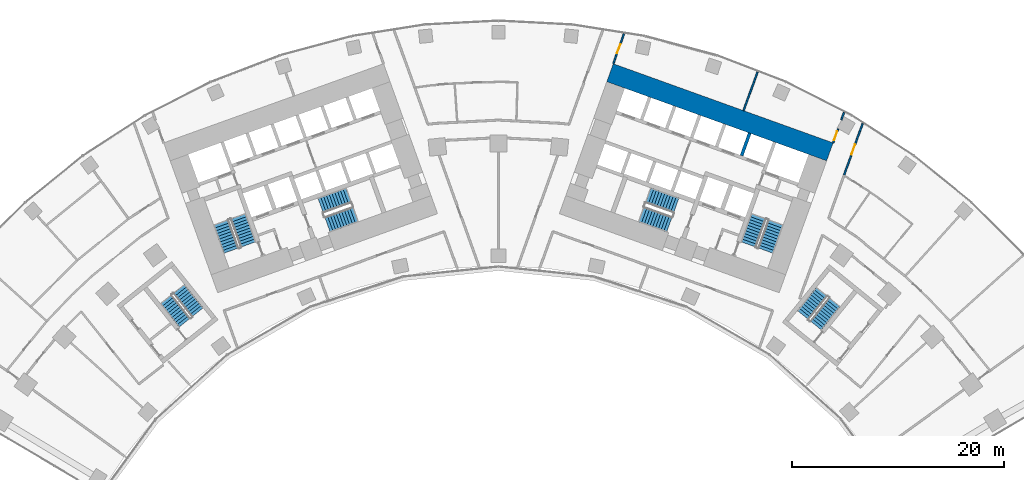
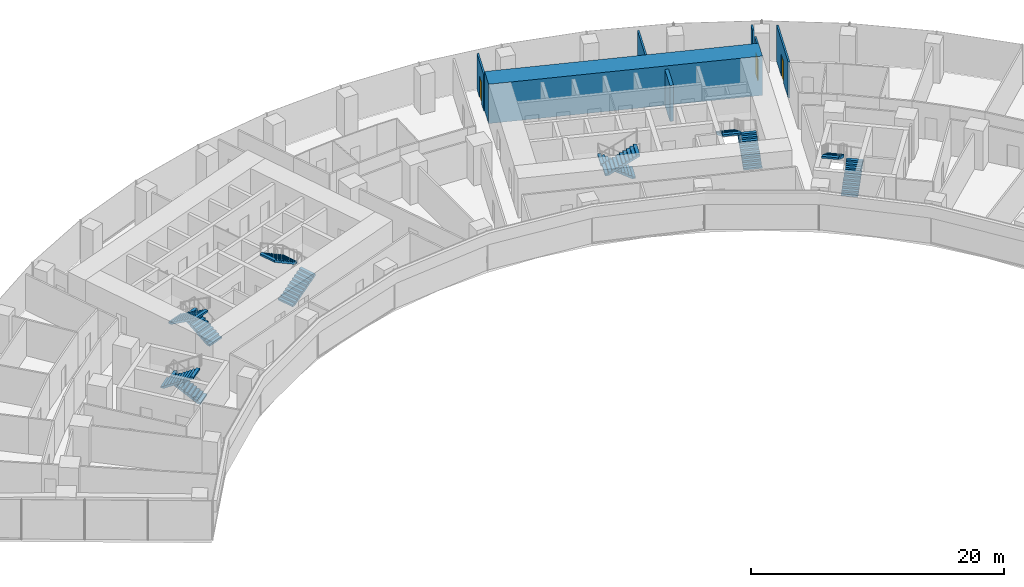
# One storey, part 19 of 21: 12 stair flights, 7 walls, 3 doors, 3 openings, 6 elements without a shape of their own.
"""IFC4 building model written with IfcOpenShell, lengths in metres."""

from ifc_helpers import new_model, si_unit, direction, frame, frame_2d, origin, place, context, subcontext, project, spatial, polyline, rectangle, outline, extrude, material, layer, layer_set, type_object, element, fill, aggregate, save


model = new_model("IFC4")

# Units and contexts
model_context = context("Model", 3, precision=1e-05, world=origin(), true_north=direction((0.0, 1.0)))
body_context = subcontext(model_context, "Body", "Model", "MODEL_VIEW")
ifc_project = project(units=[si_unit("LENGTHUNIT", "METRE"), si_unit("AREAUNIT", "SQUARE_METRE"), si_unit("VOLUMEUNIT", "CUBIC_METRE"), si_unit("PLANEANGLEUNIT", "RADIAN"), si_unit("MASSUNIT", "GRAM", prefix="KILO")], contexts=[model_context])

# Site, building, storey
site_placement = place(None, origin())
site = spatial("IfcSite", under=ifc_project, at=site_placement, CompositionType="ELEMENT")
building_placement = place(site_placement, origin())
building = spatial("IfcBuilding", under=site, at=building_placement, Name="Stone Belt Terrace Tower", CompositionType="ELEMENT")
storey_placement = place(building_placement, frame((0.0, 0.0, 37.60009765625)))
storey = spatial("IfcBuildingStorey", under=building, at=storey_placement, Name="L08", CompositionType="ELEMENT", Elevation=37.60009765625)

# Walls
ifc_material_1 = material(Name="Concrete B80", Category="concrete")
ifc_layer_1 = layer(ifc_material_1, 1.800048828125)
ifc_layer_set_1 = layer_set([ifc_layer_1], Name="Core wall 1800 B80")
wall_type_1 = type_object("IfcWallType", Name="Core wall 1800 B80", PredefinedType="SHEAR", material=ifc_layer_set_1)
wall_1_placement = place(storey_placement, frame((10.509033203125, 61.685546875, 0.0), z_axis=(0.0, 0.0, 1.0), x_axis=(0.940922914687, -0.338620833112, 0.0)))
element("IfcWall", 1, at=wall_1_placement, inside=storey, type_object=wall_type_1, Name="Core B wall convex L08", PredefinedType="SHEAR", context=body_context, shape_type="SweptSolid", body=[
    extrude(rectangle(XDim=22.000244140625, YDim=1.800048828125, at=frame_2d((11.0, 0.0))), origin(), (0.0, 0.0, 1.0), 3.7998046875),
])
ifc_layer_2 = layer(ifc_material_1, 0.300048828125)
ifc_layer_set_2 = layer_set([ifc_layer_2], Name="Lift shaft wall 300")
wall_type_2 = type_object("IfcWallType", Name="Lift shaft wall 300", PredefinedType="SHEAR", material=ifc_layer_set_2)
wall_2_placement = place(storey_placement, frame((22.897705078125, 53.87939453125, 0.0), z_axis=(0.0, 0.0, 1.0), x_axis=(0.338535034312, 0.940953787677, 0.0)))
element("IfcWall", 2, at=wall_2_placement, inside=storey, type_object=wall_type_2, Name="Core B wall", PredefinedType="SHEAR", context=body_context, shape_type="SweptSolid", body=[
    extrude(rectangle(XDim=2.25, YDim=0.300048828125, at=frame_2d((1.125, 0.0))), origin(), (0.0, 0.0, 1.0), 3.47998046875),
])

# Wall, opening, door
ifc_material_2 = material(Name="Gypsum board partition")
ifc_layer_3 = layer(ifc_material_2, 0.14990234375)
ifc_layer_set_3 = layer_set([ifc_layer_3], Name="PARTITION 150 EI 60")
wall_type_3 = type_object("IfcWallType", Name="PARTITION 150 EI 60", PredefinedType="PARTITIONING", material=ifc_layer_set_3)
wall_3_placement = place(storey_placement, frame((11.831787109375, 65.361083984375, 0.0), z_axis=(0.0, 0.0, 1.0), x_axis=(-0.338526810165, -0.940956746508, 0.0)))
wall_3 = element("IfcWall", 3, at=wall_3_placement, inside=storey, type_object=wall_type_3, Name="L08/wall/i017", PredefinedType="PARTITIONING", context=body_context, shape_type="SweptSolid", body=[
    extrude(rectangle(XDim=3.006591796875, YDim=0.14990234375, at=frame_2d((1.50341796875, 0.0))), origin(), (0.0, 0.0, 1.0), 3.47998046875),
])
opening_1_placement = place(wall_3_placement, frame((1.05322265625, 0.0, 0.0)))
opening_1 = element("IfcOpeningElement", 4, at=opening_1_placement, cuts=wall_3, Name="Opening D-A1b-07", PredefinedType="OPENING", context=body_context, shape_type="SweptSolid", body=[
    extrude(rectangle(XDim=0.89990234375, YDim=2.10009765625, at=frame_2d((0.449951171875, 1.050048828125))), frame((0.0, 0.0849609375, 0.0), z_axis=(0.0, -1.0, 0.0), x_axis=(1.0, 0.0, 0.0)), (0.0, 0.0, 1.0), 0.169921875),
])
ifc_material_3 = material(Name="Timber door leaf", Category="wood")
door_type_1 = type_object("IfcDoorType", Name="OFFICE DOOR 900 X 2100", OperationType="NOTDEFINED", PredefinedType="DOOR", material=ifc_material_3)
door_1_placement = place(opening_1_placement, origin())
door_1 = element("IfcDoor", 5, at=door_1_placement, inside=storey, type_object=door_type_1, Name="L08/door/i07", OperationType="SINGLE_SWING_RIGHT", OverallHeight=2.10009765625, OverallWidth=0.89990234375, PredefinedType="DOOR", context=body_context, shape_type="SweptSolid", body=[
    extrude(rectangle(XDim=0.89990234375, YDim=2.10009765625, at=frame_2d((0.449951171875, 1.050048828125))), frame((0.0, 0.02490234375, 0.0), z_axis=(0.0, -1.0, 0.0), x_axis=(1.0, 0.0, 0.0)), (0.0, 0.0, 1.0), 0.050048828125),
])
fill(opening_1, door_1)

wall_4_placement = place(storey_placement, frame((31.513916015625, 55.0830078125, 0.0), z_axis=(0.0, 0.0, 1.0), x_axis=(0.338861945182, 0.940836107995, 0.0)))
wall_4 = element("IfcWall", 6, at=wall_4_placement, inside=storey, type_object=wall_type_3, Name="L08/wall/i021", PredefinedType="PARTITIONING", context=body_context, shape_type="SweptSolid", body=[
    extrude(rectangle(XDim=1.3955078125, YDim=0.14990234375, at=frame_2d((0.69775390625, 0.0))), origin(), (0.0, 0.0, 1.0), 3.47998046875),
])
opening_2_placement = place(wall_4_placement, frame((0.247802734375, 0.0, 0.0)))
opening_2 = element("IfcOpeningElement", 7, at=opening_2_placement, cuts=wall_4, Name="Opening D-A1b-08", PredefinedType="OPENING", context=body_context, shape_type="SweptSolid", body=[
    extrude(rectangle(XDim=0.89990234375, YDim=2.10009765625, at=frame_2d((0.449951171875, 1.050048828125))), frame((0.0, 0.0849609375, 0.0), z_axis=(0.0, -1.0, 0.0), x_axis=(1.0, 0.0, 0.0)), (0.0, 0.0, 1.0), 0.169921875),
])
door_2_placement = place(opening_2_placement, origin())
door_2 = element("IfcDoor", 8, at=door_2_placement, inside=storey, type_object=door_type_1, Name="L08/door/i08", OperationType="SINGLE_SWING_RIGHT", OverallHeight=2.10009765625, OverallWidth=0.89990234375, PredefinedType="DOOR", context=body_context, shape_type="SweptSolid", body=[
    extrude(rectangle(XDim=0.89990234375, YDim=2.10009765625, at=frame_2d((0.449951171875, 1.050048828125))), frame((0.0, 0.02490234375, 0.0), z_axis=(0.0, -1.0, 0.0), x_axis=(1.0, 0.0, 0.0)), (0.0, 0.0, 1.0), 0.050048828125),
])
fill(opening_2, door_2)

# Wall
wall_5_placement = place(storey_placement, frame((32.290283203125, 57.238525390625, 0.0), z_axis=(0.0, 0.0, 1.0), x_axis=(0.338960201827, 0.940800712998, 0.0)))
element("IfcWall", 9, at=wall_5_placement, inside=storey, type_object=wall_type_3, Name="L08/wall/i022", PredefinedType="PARTITIONING", context=body_context, shape_type="SweptSolid", body=[
    extrude(rectangle(XDim=0.754150390625, YDim=0.14990234375, at=frame_2d((0.376953125, 0.0))), origin(), (0.0, 0.0, 1.0), 3.47998046875),
])

# Wall, opening, door
wall_6_placement = place(storey_placement, frame((34.298095703125, 56.91015625, 0.0), z_axis=(0.0, 0.0, 1.0), x_axis=(-0.338724445236, -0.940885620147, 0.0)))
wall_6 = element("IfcWall", 10, at=wall_6_placement, inside=storey, type_object=wall_type_3, Name="L08/wall/i025", PredefinedType="PARTITIONING", context=body_context, shape_type="SweptSolid", body=[
    extrude(rectangle(XDim=5.211181640625, YDim=0.14990234375, at=frame_2d((2.60546875, 0.0))), origin(), (0.0, 0.0, 1.0), 3.47998046875),
])
opening_3_placement = place(wall_6_placement, frame((2.10546875, 0.0, 0.0)))
opening_3 = element("IfcOpeningElement", 11, at=opening_3_placement, cuts=wall_6, Name="Opening D-A1b-21", PredefinedType="OPENING", context=body_context, shape_type="SweptSolid", body=[
    extrude(rectangle(XDim=1.0, YDim=2.10009765625, at=frame_2d((0.5, 1.050048828125))), frame((0.0, 0.0849609375, 0.0), z_axis=(0.0, -1.0, 0.0), x_axis=(1.0, 0.0, 0.0)), (0.0, 0.0, 1.0), 0.169921875),
])
ifc_material_4 = material(Name="Timber fire door leaf", Category="wood")
door_type_2 = type_object("IfcDoorType", Name="TENANCY ENTRANCE DOOR 1000 X 2100", OperationType="NOTDEFINED", PredefinedType="DOOR", material=ifc_material_4)
door_3_placement = place(opening_3_placement, origin())
door_3 = element("IfcDoor", 12, at=door_3_placement, inside=storey, type_object=door_type_2, Name="L08/door/i21", OperationType="SINGLE_SWING_RIGHT", OverallHeight=2.10009765625, OverallWidth=1.0, PredefinedType="DOOR", context=body_context, shape_type="SweptSolid", body=[
    extrude(rectangle(XDim=1.0, YDim=2.10009765625, at=frame_2d((0.5, 1.050048828125))), frame((0.0, 0.02490234375, 0.0), z_axis=(0.0, -1.0, 0.0), x_axis=(1.0, 0.0, 0.0)), (0.0, 0.0, 1.0), 0.050048828125),
])
fill(opening_3, door_3)

# Wall
wall_7_placement = place(storey_placement, frame((24.39990234375, 61.76708984375, 0.0), z_axis=(0.0, 0.0, 1.0), x_axis=(-0.338619209116, -0.940923499131, 0.0)))
element("IfcWall", 13, at=wall_7_placement, inside=storey, type_object=wall_type_3, Name="L08/wall/i030", PredefinedType="PARTITIONING", context=body_context, shape_type="SweptSolid", body=[
    extrude(rectangle(XDim=3.88037109375, YDim=0.14990234375, at=frame_2d((1.940185546875, 0.0))), origin(), (0.0, 0.0, 1.0), 3.47998046875),
])

# Stair, stair flights
ifc_material_5 = material(Name="Concrete B40", Category="concrete")
stair_type = type_object("IfcStairType", Name="Exit stair 1500", PredefinedType="HALF_TURN_STAIR", material=ifc_material_5)
stair_1_placement = place(storey_placement, origin())
stair_1 = element("IfcStair", 14, at=stair_1_placement, inside=storey, type_object=stair_type, Name="L08 Exit stair 1 core A", PredefinedType="HALF_TURN_STAIR")
stair_flight_type = type_object("IfcStairFlightType", Name="Stair flight 1500", PredefinedType="STRAIGHT", material=ifc_material_5)
stair_flight_1_placement = place(storey_placement, frame((-23.55322265625, 45.51318359375, 0.0), z_axis=(0.0, 0.0, 1.0), x_axis=(-0.338624396177, 0.940921632398, 0.0)))
stair_flight_1 = element("IfcStairFlight", 15, at=stair_flight_1_placement, type_object=stair_flight_type, Name="ST1A flight 1", NumberOfRisers=11, NumberOfTreads=10, PredefinedType="STRAIGHT", RiserHeight=0.172727273, TreadLength=0.28, context=body_context, shape_type="SweptSolid", body=[
    extrude(outline(polyline([(0.0, 0.0), (0.0, 0.172607421875), (0.280029296875, 0.172607421875), (0.280029296875, 0.345458984375), (0.56005859375, 0.345458984375), (0.56005859375, 0.51806640625), (0.840087890625, 0.51806640625), (0.840087890625, 0.69091796875), (1.1201171875, 0.69091796875), (1.1201171875, 0.863525390625), (1.39990234375, 0.863525390625), (1.39990234375, 1.036376953125), (1.679931640625, 1.036376953125), (1.679931640625, 1.208984375), (1.9599609375, 1.208984375), (1.9599609375, 1.3818359375), (2.239990234375, 1.3818359375), (2.239990234375, 1.554443359375), (2.52001953125, 1.554443359375), (2.52001953125, 1.727294921875), (2.800048828125, 1.727294921875), (2.800048828125, 1.89990234375), (2.800048828125, 1.551025390625), (0.285400390625, 0.0), (0.0, 0.0)])), frame((0.0, 0.75, 0.0), z_axis=(0.0, -1.0, 0.0), x_axis=(1.0, 0.0, 0.0)), (0.0, 0.0, 1.0), 1.5),
])
stair_flight_2_placement = place(storey_placement, frame((-26.10107421875, 47.572021484375, 1.89990234375), z_axis=(0.0, 0.0, 1.0), x_axis=(0.338624396177, -0.940921632398, 0.0)))
stair_flight_2 = element("IfcStairFlight", 16, at=stair_flight_2_placement, type_object=stair_flight_type, Name="ST1A flight 2", NumberOfRisers=11, NumberOfTreads=10, PredefinedType="STRAIGHT", RiserHeight=0.172727273, TreadLength=0.28, context=body_context, shape_type="SweptSolid", body=[
    extrude(outline(polyline([(0.0, 0.0), (0.0, 0.172607421875), (0.280029296875, 0.172607421875), (0.280029296875, 0.345458984375), (0.56005859375, 0.345458984375), (0.56005859375, 0.51806640625), (0.840087890625, 0.51806640625), (0.840087890625, 0.69091796875), (1.1201171875, 0.69091796875), (1.1201171875, 0.863525390625), (1.39990234375, 0.863525390625), (1.39990234375, 1.036376953125), (1.679931640625, 1.036376953125), (1.679931640625, 1.208984375), (1.9599609375, 1.208984375), (1.9599609375, 1.3818359375), (2.239990234375, 1.3818359375), (2.239990234375, 1.554443359375), (2.52001953125, 1.554443359375), (2.52001953125, 1.727294921875), (2.800048828125, 1.727294921875), (2.800048828125, 1.89990234375), (2.800048828125, 1.551025390625), (0.285400390625, 0.0), (0.0, 0.0)])), frame((0.0, 0.75, 0.0), z_axis=(0.0, -1.0, 0.0), x_axis=(1.0, 0.0, 0.0)), (0.0, 0.0, 1.0), 1.5),
])
aggregate(stair_1, [stair_flight_1, stair_flight_2])

stair_2_placement = place(storey_placement, origin())
stair_2 = element("IfcStair", 17, at=stair_2_placement, inside=storey, type_object=stair_type, Name="L08 Exit stair 2 core A", PredefinedType="HALF_TURN_STAIR")
stair_flight_3_placement = place(storey_placement, frame((-16.101318359375, 47.39794921875, 0.0), z_axis=(0.0, 0.0, 1.0), x_axis=(0.940921632398, 0.338624396177, 0.0)))
stair_flight_3 = element("IfcStairFlight", 18, at=stair_flight_3_placement, type_object=stair_flight_type, Name="ST2A flight 1", NumberOfRisers=11, NumberOfTreads=10, PredefinedType="STRAIGHT", RiserHeight=0.172727273, TreadLength=0.28, context=body_context, shape_type="SweptSolid", body=[
    extrude(outline(polyline([(0.0, 0.0), (0.0, 0.172607421875), (0.280029296875, 0.172607421875), (0.280029296875, 0.345458984375), (0.56005859375, 0.345458984375), (0.56005859375, 0.51806640625), (0.840087890625, 0.51806640625), (0.840087890625, 0.69091796875), (1.1201171875, 0.69091796875), (1.1201171875, 0.863525390625), (1.39990234375, 0.863525390625), (1.39990234375, 1.036376953125), (1.679931640625, 1.036376953125), (1.679931640625, 1.208984375), (1.9599609375, 1.208984375), (1.9599609375, 1.3818359375), (2.239990234375, 1.3818359375), (2.239990234375, 1.554443359375), (2.52001953125, 1.554443359375), (2.52001953125, 1.727294921875), (2.800048828125, 1.727294921875), (2.800048828125, 1.89990234375), (2.800048828125, 1.551025390625), (0.285400390625, 0.0), (0.0, 0.0)])), frame((0.0, 0.75, 0.0), z_axis=(0.0, -1.0, 0.0), x_axis=(1.0, 0.0, 0.0)), (0.0, 0.0, 1.0), 1.5),
])
stair_flight_4_placement = place(storey_placement, frame((-14.110107421875, 50.1337890625, 1.89990234375), z_axis=(0.0, 0.0, 1.0), x_axis=(-0.940921632398, -0.338624396177, 0.0)))
stair_flight_4 = element("IfcStairFlight", 19, at=stair_flight_4_placement, type_object=stair_flight_type, Name="ST2A flight 2", NumberOfRisers=11, NumberOfTreads=10, PredefinedType="STRAIGHT", RiserHeight=0.172727273, TreadLength=0.28, context=body_context, shape_type="SweptSolid", body=[
    extrude(outline(polyline([(0.0, 0.0), (0.0, 0.172607421875), (0.280029296875, 0.172607421875), (0.280029296875, 0.345458984375), (0.56005859375, 0.345458984375), (0.56005859375, 0.51806640625), (0.840087890625, 0.51806640625), (0.840087890625, 0.69091796875), (1.1201171875, 0.69091796875), (1.1201171875, 0.863525390625), (1.39990234375, 0.863525390625), (1.39990234375, 1.036376953125), (1.679931640625, 1.036376953125), (1.679931640625, 1.208984375), (1.9599609375, 1.208984375), (1.9599609375, 1.3818359375), (2.239990234375, 1.3818359375), (2.239990234375, 1.554443359375), (2.52001953125, 1.554443359375), (2.52001953125, 1.727294921875), (2.800048828125, 1.727294921875), (2.800048828125, 1.89990234375), (2.800048828125, 1.551025390625), (0.285400390625, 0.0), (0.0, 0.0)])), frame((0.0, 0.75, 0.0), z_axis=(0.0, -1.0, 0.0), x_axis=(1.0, 0.0, 0.0)), (0.0, 0.0, 1.0), 1.5),
])
aggregate(stair_2, [stair_flight_3, stair_flight_4])

stair_3_placement = place(storey_placement, origin())
stair_3 = element("IfcStair", 20, at=stair_3_placement, inside=storey, type_object=stair_type, Name="L08 Exit stair 1 core B", PredefinedType="HALF_TURN_STAIR")
stair_flight_5_placement = place(storey_placement, frame((25.15283203125, 44.9375, 0.0), z_axis=(0.0, 0.0, 1.0), x_axis=(0.338624396177, 0.940921632398, 0.0)))
stair_flight_5 = element("IfcStairFlight", 21, at=stair_flight_5_placement, type_object=stair_flight_type, Name="ST1B flight 1", NumberOfRisers=11, NumberOfTreads=10, PredefinedType="STRAIGHT", RiserHeight=0.172727273, TreadLength=0.28, context=body_context, shape_type="SweptSolid", body=[
    extrude(outline(polyline([(0.0, 0.0), (0.0, 0.172607421875), (0.280029296875, 0.172607421875), (0.280029296875, 0.345458984375), (0.56005859375, 0.345458984375), (0.56005859375, 0.51806640625), (0.840087890625, 0.51806640625), (0.840087890625, 0.69091796875), (1.1201171875, 0.69091796875), (1.1201171875, 0.863525390625), (1.39990234375, 0.863525390625), (1.39990234375, 1.036376953125), (1.679931640625, 1.036376953125), (1.679931640625, 1.208984375), (1.9599609375, 1.208984375), (1.9599609375, 1.3818359375), (2.239990234375, 1.3818359375), (2.239990234375, 1.554443359375), (2.52001953125, 1.554443359375), (2.52001953125, 1.727294921875), (2.800048828125, 1.727294921875), (2.800048828125, 1.89990234375), (2.800048828125, 1.551025390625), (0.285400390625, 0.0), (0.0, 0.0)])), frame((0.0, 0.75, 0.0), z_axis=(0.0, -1.0, 0.0), x_axis=(1.0, 0.0, 0.0)), (0.0, 0.0, 1.0), 1.5),
])
stair_flight_6_placement = place(storey_placement, frame((24.50146484375, 48.147705078125, 1.89990234375), z_axis=(0.0, 0.0, 1.0), x_axis=(-0.338624396177, -0.940921632398, 0.0)))
stair_flight_6 = element("IfcStairFlight", 22, at=stair_flight_6_placement, type_object=stair_flight_type, Name="ST1B flight 2", NumberOfRisers=11, NumberOfTreads=10, PredefinedType="STRAIGHT", RiserHeight=0.172727273, TreadLength=0.28, context=body_context, shape_type="SweptSolid", body=[
    extrude(outline(polyline([(0.0, 0.0), (0.0, 0.172607421875), (0.280029296875, 0.172607421875), (0.280029296875, 0.345458984375), (0.56005859375, 0.345458984375), (0.56005859375, 0.51806640625), (0.840087890625, 0.51806640625), (0.840087890625, 0.69091796875), (1.1201171875, 0.69091796875), (1.1201171875, 0.863525390625), (1.39990234375, 0.863525390625), (1.39990234375, 1.036376953125), (1.679931640625, 1.036376953125), (1.679931640625, 1.208984375), (1.9599609375, 1.208984375), (1.9599609375, 1.3818359375), (2.239990234375, 1.3818359375), (2.239990234375, 1.554443359375), (2.52001953125, 1.554443359375), (2.52001953125, 1.727294921875), (2.800048828125, 1.727294921875), (2.800048828125, 1.89990234375), (2.800048828125, 1.551025390625), (0.285400390625, 0.0), (0.0, 0.0)])), frame((0.0, 0.75, 0.0), z_axis=(0.0, -1.0, 0.0), x_axis=(1.0, 0.0, 0.0)), (0.0, 0.0, 1.0), 1.5),
])
aggregate(stair_3, [stair_flight_5, stair_flight_6])

stair_4_placement = place(storey_placement, origin())
stair_4 = element("IfcStair", 23, at=stair_4_placement, inside=storey, type_object=stair_type, Name="L08 Exit stair 2 core B", PredefinedType="HALF_TURN_STAIR")
stair_flight_7_placement = place(storey_placement, frame((16.74462890625, 49.185546875, 0.0), z_axis=(0.0, 0.0, 1.0), x_axis=(-0.940921632398, 0.338624396177, 0.0)))
stair_flight_7 = element("IfcStairFlight", 24, at=stair_flight_7_placement, type_object=stair_flight_type, Name="ST2B flight 1", NumberOfRisers=11, NumberOfTreads=10, PredefinedType="STRAIGHT", RiserHeight=0.172727273, TreadLength=0.28, context=body_context, shape_type="SweptSolid", body=[
    extrude(outline(polyline([(0.0, 0.0), (0.0, 0.172607421875), (0.280029296875, 0.172607421875), (0.280029296875, 0.345458984375), (0.56005859375, 0.345458984375), (0.56005859375, 0.51806640625), (0.840087890625, 0.51806640625), (0.840087890625, 0.69091796875), (1.1201171875, 0.69091796875), (1.1201171875, 0.863525390625), (1.39990234375, 0.863525390625), (1.39990234375, 1.036376953125), (1.679931640625, 1.036376953125), (1.679931640625, 1.208984375), (1.9599609375, 1.208984375), (1.9599609375, 1.3818359375), (2.239990234375, 1.3818359375), (2.239990234375, 1.554443359375), (2.52001953125, 1.554443359375), (2.52001953125, 1.727294921875), (2.800048828125, 1.727294921875), (2.800048828125, 1.89990234375), (2.800048828125, 1.551025390625), (0.285400390625, 0.0), (0.0, 0.0)])), frame((0.0, 0.75, 0.0), z_axis=(0.0, -1.0, 0.0), x_axis=(1.0, 0.0, 0.0)), (0.0, 0.0, 1.0), 1.5),
])
stair_flight_8_placement = place(storey_placement, frame((13.466796875, 48.345947265625, 1.89990234375), z_axis=(0.0, 0.0, 1.0), x_axis=(0.940921632398, -0.338624396177, 0.0)))
stair_flight_8 = element("IfcStairFlight", 25, at=stair_flight_8_placement, type_object=stair_flight_type, Name="ST2B flight 2", NumberOfRisers=11, NumberOfTreads=10, PredefinedType="STRAIGHT", RiserHeight=0.172727273, TreadLength=0.28, context=body_context, shape_type="SweptSolid", body=[
    extrude(outline(polyline([(0.0, 0.0), (0.0, 0.172607421875), (0.280029296875, 0.172607421875), (0.280029296875, 0.345458984375), (0.56005859375, 0.345458984375), (0.56005859375, 0.51806640625), (0.840087890625, 0.51806640625), (0.840087890625, 0.69091796875), (1.1201171875, 0.69091796875), (1.1201171875, 0.863525390625), (1.39990234375, 0.863525390625), (1.39990234375, 1.036376953125), (1.679931640625, 1.036376953125), (1.679931640625, 1.208984375), (1.9599609375, 1.208984375), (1.9599609375, 1.3818359375), (2.239990234375, 1.3818359375), (2.239990234375, 1.554443359375), (2.52001953125, 1.554443359375), (2.52001953125, 1.727294921875), (2.800048828125, 1.727294921875), (2.800048828125, 1.89990234375), (2.800048828125, 1.551025390625), (0.285400390625, 0.0), (0.0, 0.0)])), frame((0.0, 0.75, 0.0), z_axis=(0.0, -1.0, 0.0), x_axis=(1.0, 0.0, 0.0)), (0.0, 0.0, 1.0), 1.5),
])
aggregate(stair_4, [stair_flight_7, stair_flight_8])

stair_5_placement = place(storey_placement, origin())
stair_5 = element("IfcStair", 26, at=stair_5_placement, inside=storey, type_object=stair_type, Name="L08 Exit stair 3A", PredefinedType="HALF_TURN_STAIR")
stair_flight_9_placement = place(storey_placement, frame((-28.325439453125, 39.1240234375, 0.0), z_axis=(0.0, 0.0, 1.0), x_axis=(-0.623121363691, 0.782125160132, 0.0)))
stair_flight_9 = element("IfcStairFlight", 27, at=stair_flight_9_placement, type_object=stair_flight_type, Name="ST3A flight 1", NumberOfRisers=11, NumberOfTreads=10, PredefinedType="STRAIGHT", RiserHeight=0.172727273, TreadLength=0.28, context=body_context, shape_type="SweptSolid", body=[
    extrude(outline(polyline([(0.0, 0.0), (0.0, 0.172607421875), (0.280029296875, 0.172607421875), (0.280029296875, 0.345458984375), (0.56005859375, 0.345458984375), (0.56005859375, 0.51806640625), (0.840087890625, 0.51806640625), (0.840087890625, 0.69091796875), (1.1201171875, 0.69091796875), (1.1201171875, 0.863525390625), (1.39990234375, 0.863525390625), (1.39990234375, 1.036376953125), (1.679931640625, 1.036376953125), (1.679931640625, 1.208984375), (1.9599609375, 1.208984375), (1.9599609375, 1.3818359375), (2.239990234375, 1.3818359375), (2.239990234375, 1.554443359375), (2.52001953125, 1.554443359375), (2.52001953125, 1.727294921875), (2.800048828125, 1.727294921875), (2.800048828125, 1.89990234375), (2.800048828125, 1.551025390625), (0.285400390625, 0.0), (0.0, 0.0)])), frame((0.0, 0.675048828125, 0.0), z_axis=(0.0, -1.0, 0.0), x_axis=(1.0, 0.0, 0.0)), (0.0, 0.0, 1.0), 1.35009765625),
])
stair_flight_10_placement = place(storey_placement, frame((-31.282470703125, 40.34814453125, 1.89990234375), z_axis=(0.0, 0.0, 1.0), x_axis=(0.623121363691, -0.782125160132, 0.0)))
stair_flight_10 = element("IfcStairFlight", 28, at=stair_flight_10_placement, type_object=stair_flight_type, Name="ST3A flight 2", NumberOfRisers=11, NumberOfTreads=10, PredefinedType="STRAIGHT", RiserHeight=0.172727273, TreadLength=0.28, context=body_context, shape_type="SweptSolid", body=[
    extrude(outline(polyline([(0.0, 0.0), (0.0, 0.172607421875), (0.280029296875, 0.172607421875), (0.280029296875, 0.345458984375), (0.56005859375, 0.345458984375), (0.56005859375, 0.51806640625), (0.840087890625, 0.51806640625), (0.840087890625, 0.69091796875), (1.1201171875, 0.69091796875), (1.1201171875, 0.863525390625), (1.39990234375, 0.863525390625), (1.39990234375, 1.036376953125), (1.679931640625, 1.036376953125), (1.679931640625, 1.208984375), (1.9599609375, 1.208984375), (1.9599609375, 1.3818359375), (2.239990234375, 1.3818359375), (2.239990234375, 1.554443359375), (2.52001953125, 1.554443359375), (2.52001953125, 1.727294921875), (2.800048828125, 1.727294921875), (2.800048828125, 1.89990234375), (2.800048828125, 1.551025390625), (0.285400390625, 0.0), (0.0, 0.0)])), frame((0.0, 0.675048828125, 0.0), z_axis=(0.0, -1.0, 0.0), x_axis=(1.0, 0.0, 0.0)), (0.0, 0.0, 1.0), 1.35009765625),
])
aggregate(stair_5, [stair_flight_9, stair_flight_10])

stair_6_placement = place(storey_placement, origin())
stair_6 = element("IfcStair", 29, at=stair_6_placement, inside=storey, type_object=stair_type, Name="L08 Exit stair 3B", PredefinedType="HALF_TURN_STAIR")
stair_flight_11_placement = place(storey_placement, frame((29.88330078125, 37.887939453125, 0.0), z_axis=(0.0, 0.0, 1.0), x_axis=(0.630205749599, 0.776428176441, 0.0)))
stair_flight_11 = element("IfcStairFlight", 30, at=stair_flight_11_placement, type_object=stair_flight_type, Name="ST3B flight 1", NumberOfRisers=11, NumberOfTreads=10, PredefinedType="STRAIGHT", RiserHeight=0.172727273, TreadLength=0.28, context=body_context, shape_type="SweptSolid", body=[
    extrude(outline(polyline([(0.0, 0.0), (0.0, 0.172607421875), (0.280029296875, 0.172607421875), (0.280029296875, 0.345458984375), (0.56005859375, 0.345458984375), (0.56005859375, 0.51806640625), (0.840087890625, 0.51806640625), (0.840087890625, 0.69091796875), (1.1201171875, 0.69091796875), (1.1201171875, 0.863525390625), (1.39990234375, 0.863525390625), (1.39990234375, 1.036376953125), (1.679931640625, 1.036376953125), (1.679931640625, 1.208984375), (1.9599609375, 1.208984375), (1.9599609375, 1.3818359375), (2.239990234375, 1.3818359375), (2.239990234375, 1.554443359375), (2.52001953125, 1.554443359375), (2.52001953125, 1.727294921875), (2.800048828125, 1.727294921875), (2.800048828125, 1.89990234375), (2.800048828125, 1.551025390625), (0.285400390625, 0.0), (0.0, 0.0)])), frame((0.0, 0.675048828125, 0.0), z_axis=(0.0, -1.0, 0.0), x_axis=(1.0, 0.0, 0.0)), (0.0, 0.0, 1.0), 1.35009765625),
])
stair_flight_12_placement = place(storey_placement, frame((30.4443359375, 41.038818359375, 1.89990234375), z_axis=(0.0, 0.0, 1.0), x_axis=(-0.630205749599, -0.776428176441, 0.0)))
stair_flight_12 = element("IfcStairFlight", 31, at=stair_flight_12_placement, type_object=stair_flight_type, Name="ST3B flight 2", NumberOfRisers=11, NumberOfTreads=10, PredefinedType="STRAIGHT", RiserHeight=0.172727273, TreadLength=0.28, context=body_context, shape_type="SweptSolid", body=[
    extrude(outline(polyline([(0.0, 0.0), (0.0, 0.172607421875), (0.280029296875, 0.172607421875), (0.280029296875, 0.345458984375), (0.56005859375, 0.345458984375), (0.56005859375, 0.51806640625), (0.840087890625, 0.51806640625), (0.840087890625, 0.69091796875), (1.1201171875, 0.69091796875), (1.1201171875, 0.863525390625), (1.39990234375, 0.863525390625), (1.39990234375, 1.036376953125), (1.679931640625, 1.036376953125), (1.679931640625, 1.208984375), (1.9599609375, 1.208984375), (1.9599609375, 1.3818359375), (2.239990234375, 1.3818359375), (2.239990234375, 1.554443359375), (2.52001953125, 1.554443359375), (2.52001953125, 1.727294921875), (2.800048828125, 1.727294921875), (2.800048828125, 1.89990234375), (2.800048828125, 1.551025390625), (0.285400390625, 0.0), (0.0, 0.0)])), frame((0.0, 0.675048828125, 0.0), z_axis=(0.0, -1.0, 0.0), x_axis=(1.0, 0.0, 0.0)), (0.0, 0.0, 1.0), 1.35009765625),
])
aggregate(stair_6, [stair_flight_11, stair_flight_12])

save(model, "model.ifc")
